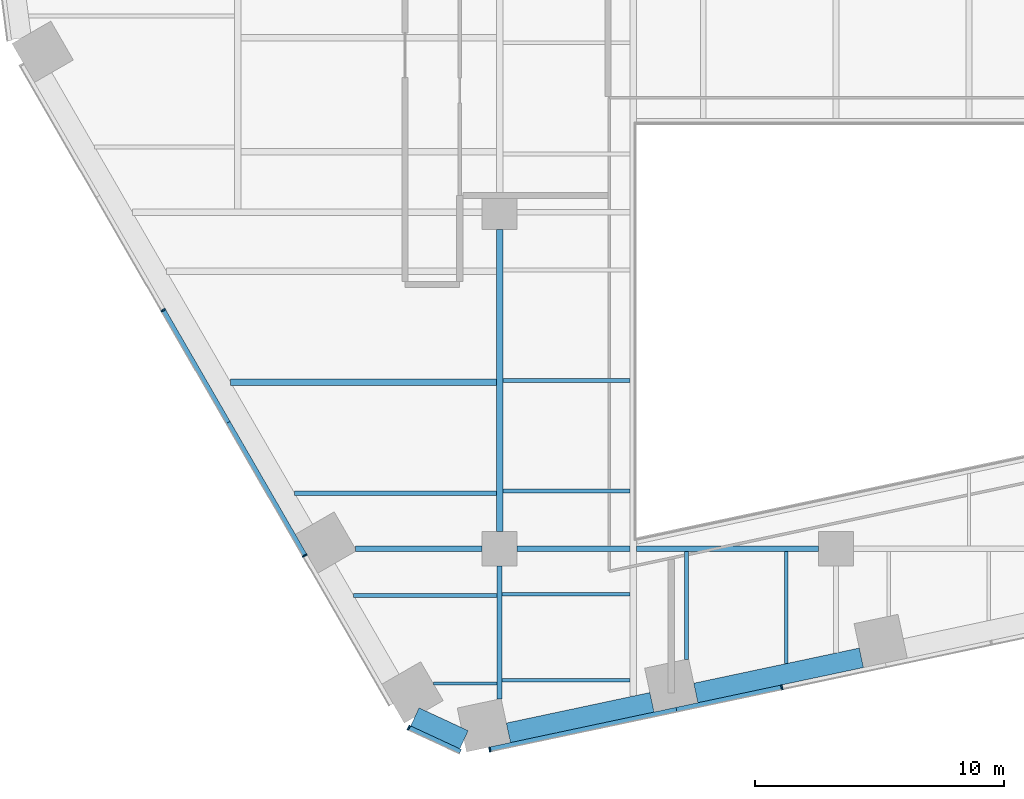
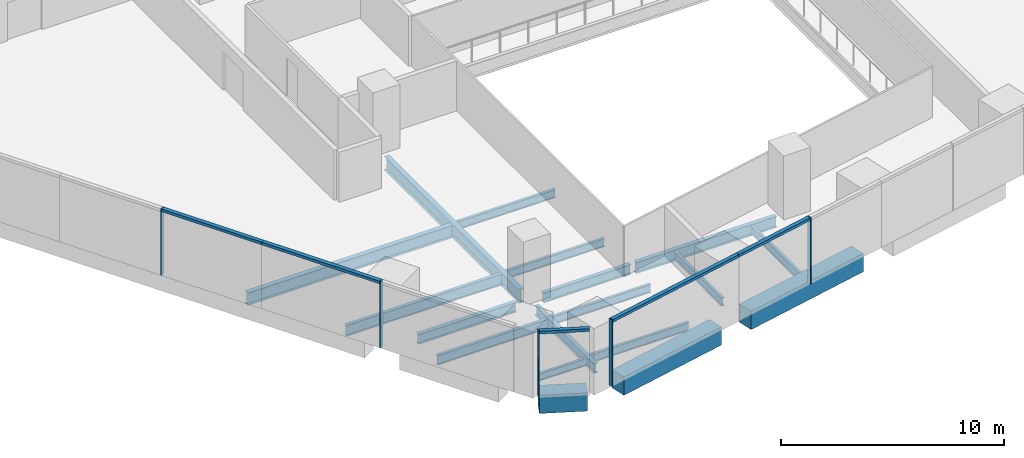
# One storey, part 2 of 21: 18 beams, 10 members, 3 elements without a shape of their own.
"""IFC4 building model written with IfcOpenShell, lengths in metres."""

from ifc_helpers import new_model, si_unit, direction, frame, origin, origin_2d, place, context, subcontext, project, spatial, rectangle, i_section, extrude, material, layer, layer_set, material_profile, profile_set, type_object, element, aggregate, save


model = new_model("IFC4")

# Units and contexts
model_context = context("Model", 3, precision=1e-05, world=origin(), true_north=direction((0.0, 1.0)))
body_context = subcontext(model_context, "Body", "Model", "MODEL_VIEW")
ifc_project = project(units=[si_unit("LENGTHUNIT", "METRE"), si_unit("AREAUNIT", "SQUARE_METRE"), si_unit("VOLUMEUNIT", "CUBIC_METRE"), si_unit("PLANEANGLEUNIT", "RADIAN"), si_unit("MASSUNIT", "GRAM", prefix="KILO")], contexts=[model_context])

# Site, building, storey
site_placement = place(None, origin())
site = spatial("IfcSite", under=ifc_project, at=site_placement, CompositionType="ELEMENT")
building_placement = place(site_placement, origin())
building = spatial("IfcBuilding", under=site, at=building_placement, Name="Isthmus Gate Tower", CompositionType="ELEMENT")
storey_placement = place(building_placement, frame((0.0, 0.0, 46.949951171875)))
storey = spatial("IfcBuildingStorey", under=building, at=storey_placement, Name="L09", CompositionType="ELEMENT", Elevation=46.949951171875)

# Curtain wall, members
ifc_material_1 = material(Name="Aluminium, pale champagne anodised", Category="aluminium")
ifc_layer = layer(ifc_material_1, 0.199951171875)
ifc_layer_set = layer_set([ifc_layer], Name="CW-1 UNITISED CURTAIN WALL 200 DEEP")
curtain_wall_type = type_object("IfcCurtainWallType", Name="CW-1 UNITISED CURTAIN WALL 200 DEEP", PredefinedType="NOTDEFINED", material=ifc_layer_set)
curtain_wall_1_placement = place(storey_placement, origin())
curtain_wall_1 = element("IfcCurtainWall", 1, at=curtain_wall_1_placement, inside=storey, type_object=curtain_wall_type, Name="CW-1 SW L09", PredefinedType="NOTDEFINED")
ifc_material_2 = material(Name="Aluminium, pale champagne anodised", Category="aluminium")
ifc_material_profile_1 = material_profile(ifc_material_2, rectangle(XDim=0.06005859375, YDim=0.199951171875, at=origin_2d()), Name="60x200")
ifc_profile_set_1 = profile_set([ifc_material_profile_1], Name="Aluminium, pale champagne anodised")
member_type_1 = type_object("IfcMemberType", Name="CW-1 MULLION 60 X 200", PredefinedType="MULLION", material=ifc_profile_set_1)
member_1_placement = place(storey_placement, frame((-27.001708984375, -17.431640625, 0.0), z_axis=(0.0, 0.0, 1.0), x_axis=(0.5, -0.866025403784, 0.0)))
member_1 = element("IfcMember", 2, at=member_1_placement, type_object=member_type_1, Name="CW-1 mullion", PredefinedType="MULLION", context=body_context, shape_type="SweptSolid", body=[
    extrude(rectangle(XDim=0.06005859375, YDim=0.199951171875, at=origin_2d()), origin(), (0.0, 0.0, 1.0), 3.650146484375),
])
member_2_placement = place(storey_placement, frame((-21.318115234375, -27.27587890625, 0.0), z_axis=(0.0, 0.0, 1.0), x_axis=(0.5, -0.866025403784, 0.0)))
member_2 = element("IfcMember", 3, at=member_2_placement, type_object=member_type_1, Name="CW-1 mullion", PredefinedType="MULLION", context=body_context, shape_type="SweptSolid", body=[
    extrude(rectangle(XDim=0.06005859375, YDim=0.199951171875, at=origin_2d()), origin(), (0.0, 0.0, 1.0), 3.650146484375),
])

# Curtain wall, member
curtain_wall_2_placement = place(storey_placement, origin())
curtain_wall_2 = element("IfcCurtainWall", 4, at=curtain_wall_2_placement, inside=storey, type_object=curtain_wall_type, Name="CW-1 SW-S L09", PredefinedType="NOTDEFINED")
member_3_placement = place(storey_placement, frame((-17.14794921875, -34.184814453125, 0.0), z_axis=(0.0, 0.0, 1.0), x_axis=(0.907256261367, -0.420578264073, 0.0)))
member_3 = element("IfcMember", 5, at=member_3_placement, type_object=member_type_1, Name="CW-1 mullion", PredefinedType="MULLION", context=body_context, shape_type="SweptSolid", body=[
    extrude(rectangle(XDim=0.06005859375, YDim=0.199951171875, at=origin_2d()), origin(), (0.0, 0.0, 1.0), 3.650146484375),
])

# Curtain wall, members
curtain_wall_3_placement = place(storey_placement, origin())
curtain_wall_3 = element("IfcCurtainWall", 6, at=curtain_wall_3_placement, inside=storey, type_object=curtain_wall_type, Name="CW-1 S L09", PredefinedType="NOTDEFINED")
member_4_placement = place(storey_placement, frame((-13.89501953125, -35.0556640625, 0.0), z_axis=(0.0, 0.0, 1.0), x_axis=(0.978147600734, 0.207911690818, 0.0)))
member_4 = element("IfcMember", 7, at=member_4_placement, type_object=member_type_1, Name="CW-1 mullion", PredefinedType="MULLION", context=body_context, shape_type="SweptSolid", body=[
    extrude(rectangle(XDim=0.06005859375, YDim=0.199951171875, at=origin_2d()), origin(), (0.0, 0.0, 1.0), 3.650146484375),
])
member_5_placement = place(storey_placement, frame((-2.1728515625, -32.564208984375, 0.0), z_axis=(0.0, 0.0, 1.0), x_axis=(0.978147600734, 0.207911690818, 0.0)))
member_5 = element("IfcMember", 8, at=member_5_placement, type_object=member_type_1, Name="CW-1 mullion", PredefinedType="MULLION", context=body_context, shape_type="SweptSolid", body=[
    extrude(rectangle(XDim=0.06005859375, YDim=0.199951171875, at=origin_2d()), origin(), (0.0, 0.0, 1.0), 3.650146484375),
])

# Member
ifc_material_3 = material(Name="Aluminium, pale champagne anodised", Category="aluminium")
ifc_material_profile_2 = material_profile(ifc_material_3, rectangle(XDim=0.199951171875, YDim=0.14990234375, at=origin_2d()), Name="200x150")
ifc_profile_set_2 = profile_set([ifc_material_profile_2], Name="Aluminium, pale champagne anodised")
member_type_2 = type_object("IfcMemberType", Name="CW-1 TRANSOM 200 X 150", PredefinedType="USERDEFINED", material=ifc_profile_set_2)
member_6_placement = place(storey_placement, frame((-26.98681640625, -17.45751953125, 3.574951171875), z_axis=(0.49999612508, -0.866027640959, 0.0), x_axis=(0.866027640959, 0.49999612508, 0.0)))
member_6 = element("IfcMember", 9, at=member_6_placement, type_object=member_type_2, Name="CW-1 transom", ObjectType="TRANSOM", PredefinedType="USERDEFINED", context=body_context, shape_type="SweptSolid", body=[
    extrude(rectangle(XDim=0.199951171875, YDim=0.14990234375, at=origin_2d()), origin(), (0.0, 0.0, 1.0), 5.173828125),
])

member_7_placement = place(storey_placement, frame((-24.39990234375, -21.938232421875, 3.574951171875), z_axis=(0.500017618927, -0.866015231253, 0.0), x_axis=(0.866015231253, 0.500017618927, 0.0)))
member_7 = element("IfcMember", 10, at=member_7_placement, type_object=member_type_2, Name="CW-1 transom", ObjectType="TRANSOM", PredefinedType="USERDEFINED", context=body_context, shape_type="SweptSolid", body=[
    extrude(rectangle(XDim=0.199951171875, YDim=0.14990234375, at=origin_2d()), origin(), (0.0, 0.0, 1.0), 6.133544921875),
])

aggregate(curtain_wall_1, [member_1, member_6, member_7, member_2])

member_8_placement = place(storey_placement, frame((-17.120849609375, -34.197509765625, 3.574951171875), z_axis=(0.907246225564, -0.420599912268, 0.0), x_axis=(0.420599912268, 0.907246225564, 0.0)))
member_8 = element("IfcMember", 11, at=member_8_placement, type_object=member_type_2, Name="CW-1 transom", ObjectType="TRANSOM", PredefinedType="USERDEFINED", context=body_context, shape_type="SweptSolid", body=[
    extrude(rectangle(XDim=0.199951171875, YDim=0.14990234375, at=origin_2d()), origin(), (0.0, 0.0, 1.0), 2.258544921875),
])

aggregate(curtain_wall_2, [member_3, member_8])

member_9_placement = place(storey_placement, frame((-13.86572265625, -35.049560546875, 3.574951171875), z_axis=(0.978149009137, 0.20790506469, 0.0), x_axis=(-0.20790506469, 0.978149009137, 0.0)))
member_9 = element("IfcMember", 12, at=member_9_placement, type_object=member_type_2, Name="CW-1 transom", ObjectType="TRANSOM", PredefinedType="USERDEFINED", context=body_context, shape_type="SweptSolid", body=[
    extrude(rectangle(XDim=0.199951171875, YDim=0.14990234375, at=origin_2d()), origin(), (0.0, 0.0, 1.0), 7.62939453125),
])

member_10_placement = place(storey_placement, frame((-6.403076171875, -33.46337890625, 3.574951171875), z_axis=(0.97813890815, 0.207952582007, 0.0), x_axis=(-0.207952582007, 0.97813890815, 0.0)))
member_10 = element("IfcMember", 13, at=member_10_placement, type_object=member_type_2, Name="CW-1 transom", ObjectType="TRANSOM", PredefinedType="USERDEFINED", context=body_context, shape_type="SweptSolid", body=[
    extrude(rectangle(XDim=0.199951171875, YDim=0.14990234375, at=origin_2d()), origin(), (0.0, 0.0, 1.0), 4.294677734375),
])

aggregate(curtain_wall_3, [member_4, member_9, member_10, member_5])

# Beams
ifc_material_4 = material(Name="Concrete f'c 70 MPa", Category="concrete")
ifc_material_profile_3 = material_profile(ifc_material_4, rectangle(XDim=0.800048828125, YDim=1.0, at=origin_2d()), Name="RC 800X1000")
ifc_profile_set_3 = profile_set([ifc_material_profile_3], Name="Concrete f'c 70 MPa")
beam_type_1 = type_object("IfcBeamType", Name="RC SPANDREL 800 X 1000", PredefinedType="SPANDREL", material=ifc_profile_set_3)
beam_1_placement = place(storey_placement, frame((1.01416015625, -31.37548828125, -0.5), z_axis=(-0.978145779981, -0.207920256603, 0.0), x_axis=(0.207920256603, -0.978145779981, 0.0)))
element("IfcBeam", 14, at=beam_1_placement, inside=storey, type_object=beam_type_1, Name="str-spandrel-L09-12", PredefinedType="SPANDREL", context=body_context, shape_type="SweptSolid", body=[
    extrude(rectangle(XDim=0.800048828125, YDim=1.0, at=origin_2d()), origin(), (0.0, 0.0, 1.0), 6.789306640625),
])
beam_2_placement = place(storey_placement, frame((-7.387451171875, -33.161376953125, -0.5), z_axis=(-0.978149894464, -0.207900899374, 0.0), x_axis=(0.207900899374, -0.978149894464, 0.0)))
element("IfcBeam", 15, at=beam_2_placement, inside=storey, type_object=beam_type_1, Name="str-spandrel-L09-13", PredefinedType="SPANDREL", context=body_context, shape_type="SweptSolid", body=[
    extrude(rectangle(XDim=0.800048828125, YDim=1.0, at=origin_2d()), origin(), (0.0, 0.0, 1.0), 5.88916015625),
])
beam_3_placement = place(storey_placement, frame((-14.929443359375, -34.662109375, -0.5), z_axis=(-0.907290744498, 0.420503870314, 0.0), x_axis=(-0.420503870314, -0.907290744498, 0.0)))
element("IfcBeam", 16, at=beam_3_placement, inside=storey, type_object=beam_type_1, Name="str-spandrel-L09-14", PredefinedType="SPANDREL", context=body_context, shape_type="SweptSolid", body=[
    extrude(rectangle(XDim=0.800048828125, YDim=1.0, at=origin_2d()), origin(), (0.0, 0.0, 1.0), 2.173095703125),
])
ifc_material_5 = material(Name="Structural steel ASTM A992 Gr 50", Category="steel")
ifc_material_profile_4 = material_profile(ifc_material_5, i_section(OverallWidth=0.1396484375, OverallDepth=0.4033203125, WebThickness=0.00634765625, FlangeThickness=0.010986328125, at=origin_2d()), Name="W16X31")
ifc_profile_set_4 = profile_set([ifc_material_profile_4], Name="Structural steel ASTM A992 Gr 50")
beam_type_2 = type_object("IfcBeamType", Name="STEEL FLOOR BEAM W16X31", PredefinedType="JOIST", material=ifc_profile_set_4)
beam_4_placement = place(storey_placement, frame((-16.162353515625, -32.406005859375, -0.3515625), z_axis=(1.0, 0.0, 0.0), x_axis=(0.0, 1.0, 0.0)))
element("IfcBeam", 17, at=beam_4_placement, inside=storey, type_object=beam_type_2, Name="str-beam-L09-09-00", PredefinedType="JOIST", context=body_context, shape_type="SweptSolid", body=[
    extrude(i_section(OverallWidth=0.1396484375, OverallDepth=0.4033203125, WebThickness=0.00634765625, FlangeThickness=0.010986328125, at=origin_2d()), origin(), (0.0, 0.0, 1.0), 2.5576171875),
])
ifc_material_6 = material(Name="Structural steel ASTM A992 Gr 50", Category="steel")
ifc_material_profile_5 = material_profile(ifc_material_6, i_section(OverallWidth=0.15234375, OverallDepth=0.45068359375, WebThickness=0.0078125, FlangeThickness=0.010986328125, at=origin_2d()), Name="W18X35")
ifc_profile_set_5 = profile_set([ifc_material_profile_5], Name="Structural steel ASTM A992 Gr 50")
beam_type_3 = type_object("IfcBeamType", Name="STEEL FLOOR BEAM W18X35", PredefinedType="JOIST", material=ifc_profile_set_5)
for number, where, z_axis, x_axis, name in (
    (18, (-13.395263671875, -32.27197265625, -0.375244140625), (1.0, 0.0, 0.0), (0.0, 1.0, 0.0), "str-beam-L09-10-00"),
    (19, (-13.395263671875, -28.8271484375, -0.375244140625), (1.0, 0.0, 0.0), (0.0, 1.0, 0.0), "str-beam-L09-10-01"),
):
    element("IfcBeam", number, at=place(storey_placement, frame(where, z_axis=z_axis, x_axis=x_axis)), inside=storey, type_object=beam_type_3, Name=name, PredefinedType="JOIST", context=body_context, shape_type="SweptSolid", body=[
        extrude(i_section(OverallWidth=0.15234375, OverallDepth=0.45068359375, WebThickness=0.0078125, FlangeThickness=0.010986328125, at=origin_2d()), origin(), (0.0, 0.0, 1.0), 5.128662109375),
    ])
for number, where, z_axis, x_axis, name in (
    (20, (-13.3681640625, -24.68017578125, -0.375244140625), (1.0, 0.0, 0.0), (0.0, 1.0, 0.0), "str-beam-L09-12-00"),
    (21, (-13.3681640625, -20.25, -0.375244140625), (1.0, 0.0, 0.0), (0.0, 1.0, 0.0), "str-beam-L09-12-01"),
):
    element("IfcBeam", number, at=place(storey_placement, frame(where, z_axis=z_axis, x_axis=x_axis)), inside=storey, type_object=beam_type_3, Name=name, PredefinedType="JOIST", context=body_context, shape_type="SweptSolid", body=[
        extrude(i_section(OverallWidth=0.15234375, OverallDepth=0.45068359375, WebThickness=0.0078125, FlangeThickness=0.010986328125, at=origin_2d()), origin(), (0.0, 0.0, 1.0), 5.1015625),
    ])
beam_5_placement = place(storey_placement, frame((-6.0, -31.43505859375, -0.375244140625), z_axis=(0.0, 1.0, 0.0), x_axis=(-1.0, 0.0, 0.0)))
element("IfcBeam", 22, at=beam_5_placement, inside=storey, type_object=beam_type_3, Name="str-beam-L09-15-00", PredefinedType="JOIST", context=body_context, shape_type="SweptSolid", body=[
    extrude(i_section(OverallWidth=0.15234375, OverallDepth=0.45068359375, WebThickness=0.0078125, FlangeThickness=0.010986328125, at=origin_2d()), origin(), (0.0, 0.0, 1.0), 4.32080078125),
])
beam_6_placement = place(storey_placement, frame((-2.0, -31.607177734375, -0.375244140625), z_axis=(0.0, 1.0, 0.0), x_axis=(-1.0, 0.0, 0.0)))
element("IfcBeam", 23, at=beam_6_placement, inside=storey, type_object=beam_type_3, Name="str-beam-L09-15-01", PredefinedType="JOIST", context=body_context, shape_type="SweptSolid", body=[
    extrude(i_section(OverallWidth=0.15234375, OverallDepth=0.45068359375, WebThickness=0.0078125, FlangeThickness=0.010986328125, at=origin_2d()), origin(), (0.0, 0.0, 1.0), 4.492919921875),
])
ifc_material_7 = material(Name="Structural steel ASTM A992 Gr 50", Category="steel")
ifc_material_profile_6 = material_profile(ifc_material_7, i_section(OverallWidth=0.1650390625, OverallDepth=0.52392578125, WebThickness=0.009521484375, FlangeThickness=0.010986328125, at=origin_2d()), Name="W21X44")
ifc_profile_set_6 = profile_set([ifc_material_profile_6], Name="Structural steel ASTM A992 Gr 50")
beam_type_4 = type_object("IfcBeamType", Name="STEEL FLOOR BEAM W21X44", PredefinedType="JOIST", material=ifc_profile_set_6)
beam_7_placement = place(storey_placement, frame((-19.357421875, -28.871826171875, -0.411865234375), z_axis=(1.0, 0.0, 0.0), x_axis=(0.0, 1.0, 0.0)))
element("IfcBeam", 24, at=beam_7_placement, inside=storey, type_object=beam_type_4, Name="str-beam-L09-09-01", PredefinedType="JOIST", context=body_context, shape_type="SweptSolid", body=[
    extrude(i_section(OverallWidth=0.1650390625, OverallDepth=0.52392578125, WebThickness=0.009521484375, FlangeThickness=0.010986328125, at=origin_2d()), origin(), (0.0, 0.0, 1.0), 5.752685546875),
])
ifc_material_8 = material(Name="Structural steel ASTM A992 Gr 50", Category="steel")
ifc_material_profile_7 = material_profile(ifc_material_8, i_section(OverallWidth=0.177734375, OverallDepth=0.60009765625, WebThickness=0.009521484375, FlangeThickness=0.0126953125, at=origin_2d()), Name="W24X55")
ifc_profile_set_7 = profile_set([ifc_material_profile_7], Name="Structural steel ASTM A992 Gr 50")
beam_type_5 = type_object("IfcBeamType", Name="STEEL FLOOR BEAM W24X55", PredefinedType="JOIST", material=ifc_profile_set_7)
beam_8_placement = place(storey_placement, frame((-21.724365234375, -24.772216796875, -0.449951171875), z_axis=(1.0, 0.0, 0.0), x_axis=(0.0, 1.0, 0.0)))
element("IfcBeam", 25, at=beam_8_placement, inside=storey, type_object=beam_type_5, Name="str-beam-L09-05-00", PredefinedType="JOIST", context=body_context, shape_type="SweptSolid", body=[
    extrude(i_section(OverallWidth=0.177734375, OverallDepth=0.60009765625, WebThickness=0.009521484375, FlangeThickness=0.0126953125, at=origin_2d()), origin(), (0.0, 0.0, 1.0), 8.092529296875),
])
ifc_material_9 = material(Name="Structural steel ASTM A992 Gr 50", Category="steel")
ifc_material_profile_8 = material_profile(ifc_material_9, i_section(OverallWidth=0.25390625, OverallDepth=0.679443359375, WebThickness=0.010986328125, FlangeThickness=0.015869140625, at=origin_2d()), Name="W27X84")
ifc_profile_set_8 = profile_set([ifc_material_profile_8], Name="Structural steel ASTM A992 Gr 50")
beam_type_6 = type_object("IfcBeamType", Name="STEEL FLOOR BEAM W27X84", PredefinedType="JOIST", material=ifc_profile_set_8)
beam_9_placement = place(storey_placement, frame((-24.296875, -20.316650390625, -0.48974609375), z_axis=(1.0, 0.0, 0.0), x_axis=(0.0, 1.0, 0.0)))
element("IfcBeam", 26, at=beam_9_placement, inside=storey, type_object=beam_type_6, Name="str-beam-L09-05-01", PredefinedType="JOIST", context=body_context, shape_type="SweptSolid", body=[
    extrude(i_section(OverallWidth=0.25390625, OverallDepth=0.679443359375, WebThickness=0.010986328125, FlangeThickness=0.015869140625, at=origin_2d()), origin(), (0.0, 0.0, 1.0), 10.6650390625),
])
ifc_material_10 = material(Name="Structural steel ASTM A992 Gr 50", Category="steel")
ifc_material_profile_9 = material_profile(ifc_material_10, i_section(OverallWidth=0.20947265625, OverallDepth=0.533447265625, WebThickness=0.009521484375, FlangeThickness=0.015869140625, at=origin_2d()), Name="W21X62")
ifc_profile_set_9 = profile_set([ifc_material_profile_9], Name="Structural steel ASTM A992 Gr 50")
beam_type_7 = type_object("IfcBeamType", Name="STEEL GIRDER W21X62", PredefinedType="BEAM", material=ifc_profile_set_9)
beam_10_placement = place(storey_placement, frame((-19.283447265625, -27.0, -0.416748046875), z_axis=(1.0, 0.0, 0.0), x_axis=(0.0, 1.0, 0.0)))
element("IfcBeam", 27, at=beam_10_placement, inside=storey, type_object=beam_type_7, Name="str-girder-L09-01", PredefinedType="BEAM", context=body_context, shape_type="SweptSolid", body=[
    extrude(i_section(OverallWidth=0.20947265625, OverallDepth=0.533447265625, WebThickness=0.009521484375, FlangeThickness=0.015869140625, at=origin_2d()), origin(), (0.0, 0.0, 1.0), 5.08349609375),
])
beam_11_placement = place(storey_placement, frame((-12.800048828125, -27.0, -0.416748046875), z_axis=(1.0, 0.0, 0.0), x_axis=(0.0, 1.0, 0.0)))
element("IfcBeam", 28, at=beam_11_placement, inside=storey, type_object=beam_type_7, Name="str-girder-L09-02", PredefinedType="BEAM", context=body_context, shape_type="SweptSolid", body=[
    extrude(i_section(OverallWidth=0.20947265625, OverallDepth=0.533447265625, WebThickness=0.009521484375, FlangeThickness=0.015869140625, at=origin_2d()), origin(), (0.0, 0.0, 1.0), 4.533447265625),
])
beam_12_placement = place(storey_placement, frame((-13.5, -33.029296875, -0.416748046875), z_axis=(0.0, 1.0, 0.0), x_axis=(-1.0, 0.0, 0.0)))
element("IfcBeam", 29, at=beam_12_placement, inside=storey, type_object=beam_type_7, Name="str-girder-L09-23", PredefinedType="BEAM", context=body_context, shape_type="SweptSolid", body=[
    extrude(i_section(OverallWidth=0.20947265625, OverallDepth=0.533447265625, WebThickness=0.009521484375, FlangeThickness=0.015869140625, at=origin_2d()), origin(), (0.0, 0.0, 1.0), 5.329345703125),
])
ifc_material_11 = material(Name="Structural steel ASTM A992 Gr 50", Category="steel")
ifc_material_profile_10 = material_profile(ifc_material_11, i_section(OverallWidth=0.228515625, OverallDepth=0.603271484375, WebThickness=0.010986328125, FlangeThickness=0.014404296875, at=origin_2d()), Name="W24X68")
ifc_profile_set_10 = profile_set([ifc_material_profile_10], Name="Structural steel ASTM A992 Gr 50")
beam_type_8 = type_object("IfcBeamType", Name="STEEL GIRDER W24X68", PredefinedType="BEAM", material=ifc_profile_set_10)
beam_13_placement = place(storey_placement, frame((-8.0, -27.0, -0.45166015625), z_axis=(1.0, 0.0, 0.0), x_axis=(0.0, 1.0, 0.0)))
element("IfcBeam", 30, at=beam_13_placement, inside=storey, type_object=beam_type_8, Name="str-girder-L09-03", PredefinedType="BEAM", context=body_context, shape_type="SweptSolid", body=[
    extrude(i_section(OverallWidth=0.228515625, OverallDepth=0.603271484375, WebThickness=0.010986328125, FlangeThickness=0.014404296875, at=origin_2d()), origin(), (0.0, 0.0, 1.0), 7.300048828125),
])
ifc_material_12 = material(Name="Structural steel ASTM A992 Gr 50", Category="steel")
ifc_material_profile_11 = material_profile(ifc_material_12, i_section(OverallWidth=0.263427734375, OverallDepth=0.749267578125, WebThickness=0.0126953125, FlangeThickness=0.015869140625, at=origin_2d()), Name="W30X90")
ifc_profile_set_11 = profile_set([ifc_material_profile_11], Name="Structural steel ASTM A992 Gr 50")
beam_type_9 = type_object("IfcBeamType", Name="STEEL GIRDER W30X90", PredefinedType="BEAM", material=ifc_profile_set_11)
beam_14_placement = place(storey_placement, frame((-13.5, -26.300048828125, -0.524658203125), z_axis=(0.0, 1.0, 0.0), x_axis=(-1.0, 0.0, 0.0)))
element("IfcBeam", 31, at=beam_14_placement, inside=storey, type_object=beam_type_9, Name="str-girder-L09-24", PredefinedType="BEAM", context=body_context, shape_type="SweptSolid", body=[
    extrude(i_section(OverallWidth=0.263427734375, OverallDepth=0.749267578125, WebThickness=0.0126953125, FlangeThickness=0.015869140625, at=origin_2d()), origin(), (0.0, 0.0, 1.0), 12.10009765625),
])

save(model, "model.ifc")
